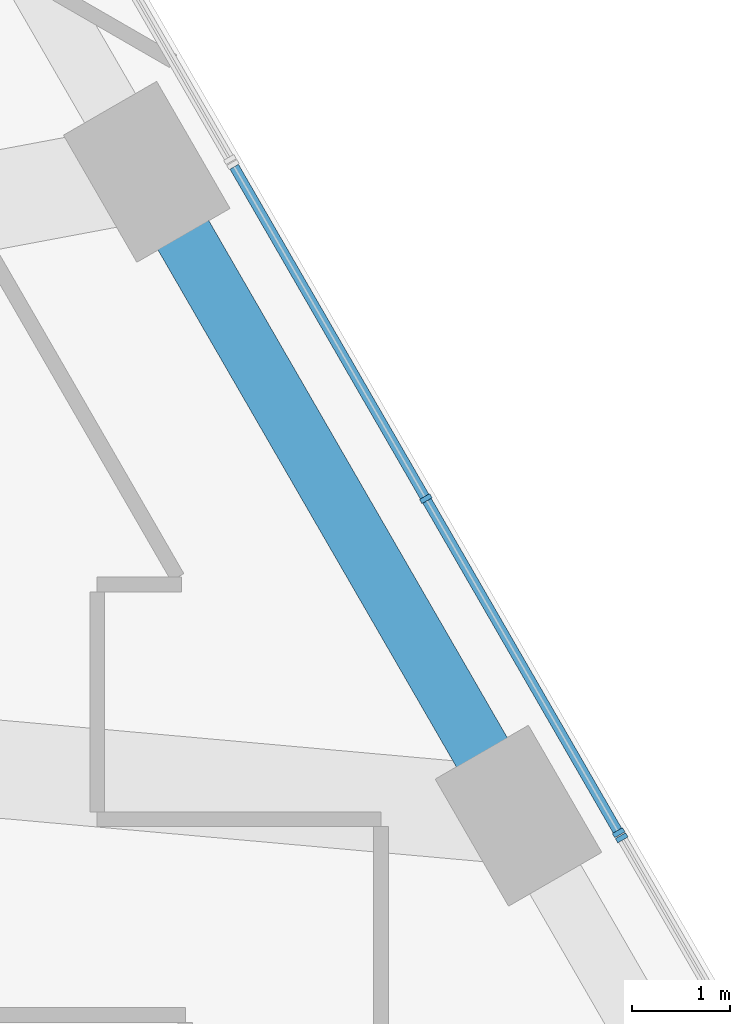
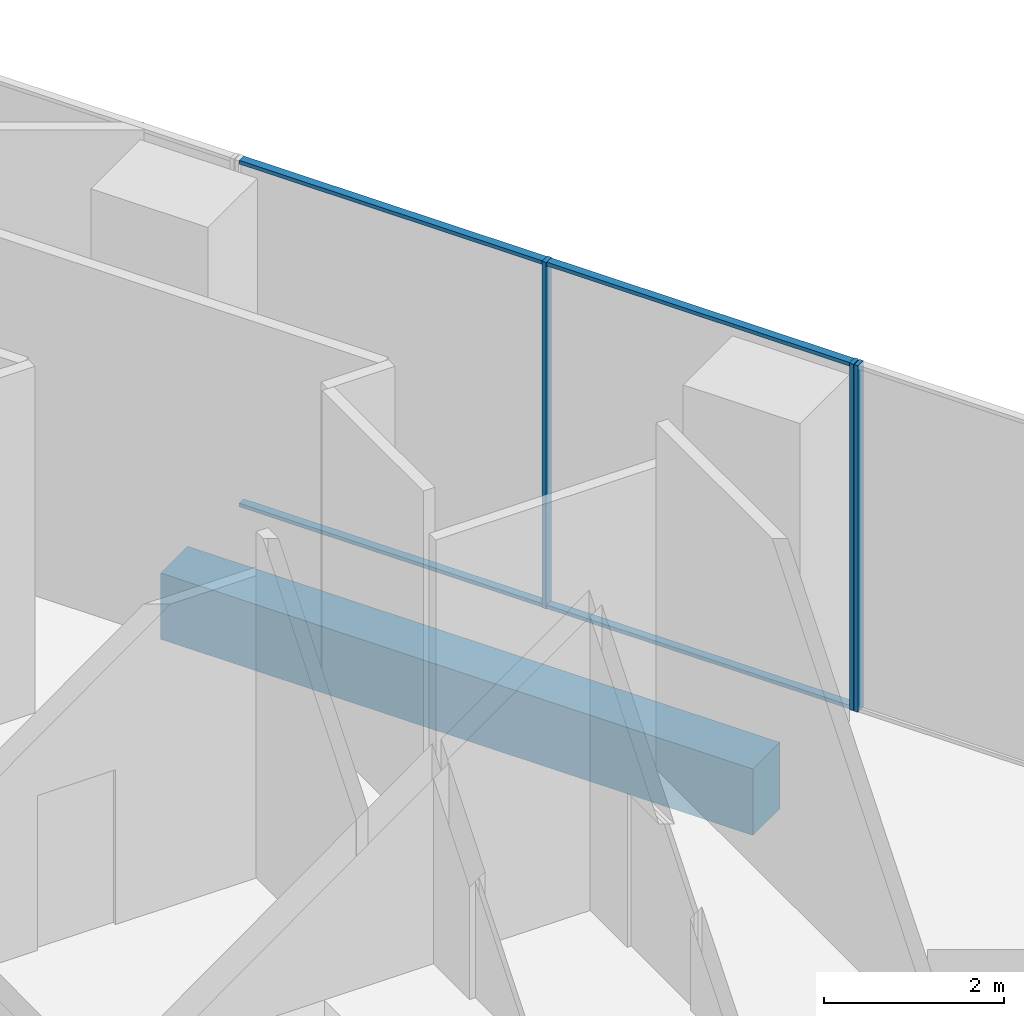
# One storey, part 12 of 28: 7 members, 1 beam, 2 elements without a shape of their own.
"""IFC4 building model written with IfcOpenShell, lengths in metres."""

from ifc_helpers import new_model, si_unit, direction, frame, origin, origin_2d, place, context, subcontext, project, spatial, rectangle, extrude, material, layer, layer_set, material_profile, profile_set, type_object, element, aggregate, save


model = new_model("IFC4")

# Units and contexts
model_context = context("Model", 3, precision=1e-05, world=origin(), true_north=direction((0.0, 1.0)))
body_context = subcontext(model_context, "Body", "Model", "MODEL_VIEW")
ifc_project = project(units=[si_unit("LENGTHUNIT", "METRE"), si_unit("AREAUNIT", "SQUARE_METRE"), si_unit("VOLUMEUNIT", "CUBIC_METRE"), si_unit("PLANEANGLEUNIT", "RADIAN"), si_unit("MASSUNIT", "GRAM", prefix="KILO")], contexts=[model_context])

# Site, building, storey
site_placement = place(None, origin())
site = spatial("IfcSite", under=ifc_project, at=site_placement, CompositionType="ELEMENT")
building_placement = place(site_placement, origin())
building = spatial("IfcBuilding", under=site, at=building_placement, Name="Triada Interchange Tower", CompositionType="ELEMENT")
storey_placement = place(building_placement, frame((0.0, 0.0, 30.300048828125)))
storey = spatial("IfcBuildingStorey", under=building, at=storey_placement, Name="L05", CompositionType="ELEMENT", Elevation=30.300048828125)

# Curtain wall, member
ifc_material_1 = material(Name="Aluminium framed glazing", Category="aluminium")
ifc_layer = layer(ifc_material_1, 0.199951171875)
ifc_layer_set = layer_set([ifc_layer], Name="Curtain wall Winter garden glazing")
curtain_wall_type = type_object("IfcCurtainWallType", Name="Curtain wall Winter garden glazing", PredefinedType="NOTDEFINED", material=ifc_layer_set)
curtain_wall_1_placement = place(storey_placement, origin())
curtain_wall_1 = element("IfcCurtainWall", 1, at=curtain_wall_1_placement, inside=storey, type_object=curtain_wall_type, Name="Winter garden glazing CW013 L05", PredefinedType="NOTDEFINED")
ifc_material_2 = material(Name="Aluminium", Category="aluminium")
ifc_material_profile_1 = material_profile(ifc_material_2, rectangle(XDim=0.1201171875, YDim=0.050048828125, at=origin_2d()), Name="Aluminium mullion")
ifc_profile_set_1 = profile_set([ifc_material_profile_1], Name="Aluminium")
member_type_1 = type_object("IfcMemberType", Name="Mullion Winter garden glazing 120x50", PredefinedType="MULLION", material=ifc_profile_set_1)
member_1_placement = place(storey_placement, frame((27.360595703125, -2.588623046875, 0.0), z_axis=(0.0, 0.0, 1.0), x_axis=(-0.866055473648, -0.499947913852, 0.0)))
member_1 = element("IfcMember", 2, at=member_1_placement, type_object=member_type_1, Name="CW013 mullion 3", PredefinedType="MULLION", context=body_context, shape_type="SweptSolid", body=[
    extrude(rectangle(XDim=0.1201171875, YDim=0.050048828125, at=origin_2d()), origin(), (0.0, 0.0, 1.0), 4.699951171875),
])
aggregate(curtain_wall_1, [member_1])

# Curtain wall, members
curtain_wall_2_placement = place(storey_placement, origin())
curtain_wall_2 = element("IfcCurtainWall", 3, at=curtain_wall_2_placement, inside=storey, type_object=curtain_wall_type, Name="Winter garden glazing CW014 L05", PredefinedType="NOTDEFINED")
member_2_placement = place(storey_placement, frame((27.32958984375, -2.536376953125, 0.0), z_axis=(0.0, 0.0, 1.0), x_axis=(-0.866055473648, -0.499947913852, 0.0)))
member_2 = element("IfcMember", 4, at=member_2_placement, type_object=member_type_1, Name="CW014 mullion 1", PredefinedType="MULLION", context=body_context, shape_type="SweptSolid", body=[
    extrude(rectangle(XDim=0.1201171875, YDim=0.050048828125, at=origin_2d()), origin(), (0.0, 0.0, 1.0), 4.699951171875),
])
member_3_placement = place(storey_placement, frame((25.3583984375, 0.8779296875, 0.0), z_axis=(0.0, 0.0, 1.0), x_axis=(-0.866055473648, -0.499947913852, 0.0)))
member_3 = element("IfcMember", 5, at=member_3_placement, type_object=member_type_1, Name="CW014 mullion 2", PredefinedType="MULLION", context=body_context, shape_type="SweptSolid", body=[
    extrude(rectangle(XDim=0.1201171875, YDim=0.050048828125, at=origin_2d()), origin(), (0.0, 0.0, 1.0), 4.699951171875),
])

# Beam
ifc_material_3 = material(Name="Concrete C50/60", Category="concrete")
ifc_material_profile_2 = material_profile(ifc_material_3, rectangle(XDim=0.60009765625, YDim=0.89990234375, at=origin_2d()), Name="RC 600x900")
ifc_profile_set_2 = profile_set([ifc_material_profile_2], Name="Concrete C50/60")
beam_type = type_object("IfcBeamType", Name="Spandrel beam P RC 600x900", PredefinedType="BEAM", material=ifc_profile_set_2)
beam_placement = place(storey_placement, frame((26.305908203125, -2.363037109375, -0.85009765625), z_axis=(-0.499967155389, 0.866044365799, 0.0), x_axis=(-0.866044365799, -0.499967155389, 0.0)))
element("IfcBeam", 6, at=beam_placement, inside=storey, type_object=beam_type, Name="Spandrel beam EP23 L05", PredefinedType="BEAM", context=body_context, shape_type="SweptSolid", body=[
    extrude(rectangle(XDim=0.60009765625, YDim=0.89990234375, at=origin_2d()), origin(), (0.0, 0.0, 1.0), 7.60009765625),
])

# Member
ifc_material_profile_3 = material_profile(ifc_material_2, rectangle(XDim=0.10009765625, YDim=0.050048828125, at=origin_2d()), Name="Aluminium transom")
ifc_profile_set_3 = profile_set([ifc_material_profile_3], Name="Aluminium")
member_type_2 = type_object("IfcMemberType", Name="Transom Winter garden glazing 100x50", PredefinedType="USERDEFINED", material=ifc_profile_set_3)
member_4_placement = place(storey_placement, frame((27.31689453125, -2.5146484375, 0.02490234375), z_axis=(-0.499903441657, 0.866081144593, 0.0), x_axis=(-0.866081144593, -0.499903441657, 0.0)))
member_4 = element("IfcMember", 7, at=member_4_placement, type_object=member_type_2, Name="CW014 transom 1.1", ObjectType="TRANSOM", PredefinedType="USERDEFINED", context=body_context, shape_type="SweptSolid", body=[
    extrude(rectangle(XDim=0.10009765625, YDim=0.050048828125, at=origin_2d()), origin(), (0.0, 0.0, 1.0), 3.892333984375),
])

member_5_placement = place(storey_placement, frame((27.31689453125, -2.5146484375, 4.675048828125), z_axis=(-0.499903441657, 0.866081144593, 0.0), x_axis=(-0.866081144593, -0.499903441657, 0.0)))
member_5 = element("IfcMember", 8, at=member_5_placement, type_object=member_type_2, Name="CW014 transom 1.2", ObjectType="TRANSOM", PredefinedType="USERDEFINED", context=body_context, shape_type="SweptSolid", body=[
    extrude(rectangle(XDim=0.10009765625, YDim=0.050048828125, at=origin_2d()), origin(), (0.0, 0.0, 1.0), 3.892333984375),
])

member_6_placement = place(storey_placement, frame((25.345947265625, 0.899658203125, 0.02490234375), z_axis=(-0.499950487857, 0.866053987747, 0.0), x_axis=(-0.866053987747, -0.499950487857, 0.0)))
member_6 = element("IfcMember", 9, at=member_6_placement, type_object=member_type_2, Name="CW014 transom 2.1", ObjectType="TRANSOM", PredefinedType="USERDEFINED", context=body_context, shape_type="SweptSolid", body=[
    extrude(rectangle(XDim=0.10009765625, YDim=0.050048828125, at=origin_2d()), origin(), (0.0, 0.0, 1.0), 3.892578125),
])

member_7_placement = place(storey_placement, frame((25.345947265625, 0.899658203125, 4.675048828125), z_axis=(-0.499950487857, 0.866053987747, 0.0), x_axis=(-0.866053987747, -0.499950487857, 0.0)))
member_7 = element("IfcMember", 10, at=member_7_placement, type_object=member_type_2, Name="CW014 transom 2.2", ObjectType="TRANSOM", PredefinedType="USERDEFINED", context=body_context, shape_type="SweptSolid", body=[
    extrude(rectangle(XDim=0.10009765625, YDim=0.050048828125, at=origin_2d()), origin(), (0.0, 0.0, 1.0), 3.892578125),
])

aggregate(curtain_wall_2, [member_2, member_3, member_4, member_5, member_6, member_7])

save(model, "model.ifc")
